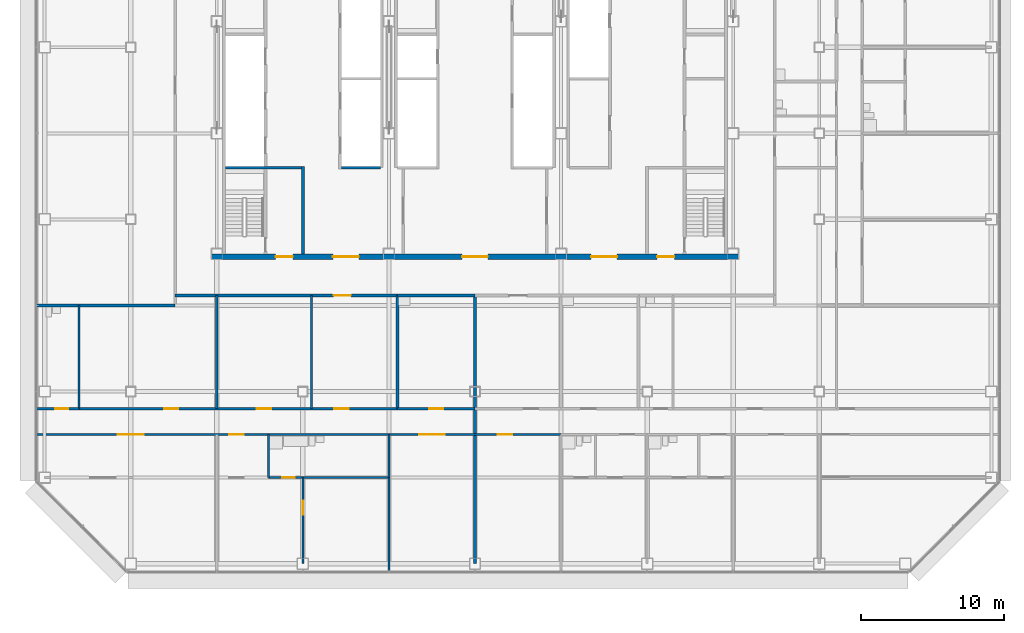
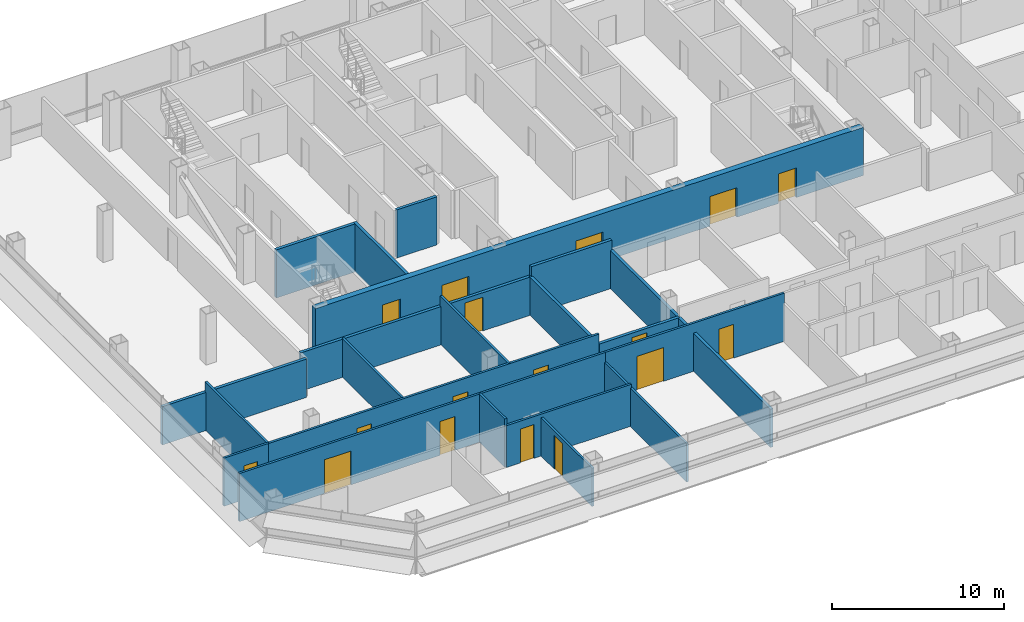
# One storey, part 19 of 25: 24 walls, 17 doors, 17 openings.
"""IFC4 building model written with IfcOpenShell, lengths in metres."""

from ifc_helpers import new_model, si_unit, direction, frame, frame_2d, origin, place, context, subcontext, project, spatial, rectangle, extrude, material, layer, layer_set, type_object, element, fill, save


model = new_model("IFC4")

# Units and contexts
model_context = context("Model", 3, precision=1e-05, world=origin(), true_north=direction((0.0, 1.0)))
body_context = subcontext(model_context, "Body", "Model", "MODEL_VIEW")
ifc_project = project(units=[si_unit("LENGTHUNIT", "METRE"), si_unit("AREAUNIT", "SQUARE_METRE"), si_unit("VOLUMEUNIT", "CUBIC_METRE"), si_unit("PLANEANGLEUNIT", "RADIAN"), si_unit("MASSUNIT", "GRAM", prefix="KILO")], contexts=[model_context])

# Site, building, storey
site_placement = place(None, origin())
site = spatial("IfcSite", under=ifc_project, at=site_placement, CompositionType="ELEMENT")
building_placement = place(site_placement, origin())
building = spatial("IfcBuilding", under=site, at=building_placement, Name="Sorahane Residences", CompositionType="ELEMENT")
storey_placement = place(building_placement, frame((0.0, 0.0, 126.800048828125)))
storey = spatial("IfcBuildingStorey", under=building, at=storey_placement, Name="L28", CompositionType="ELEMENT", Elevation=126.800048828125)

# Wall
ifc_material_1 = material(Name="Concrete blockwork C20 wall", Category="masonry")
ifc_layer_1 = layer(ifc_material_1, 0.199951171875)
ifc_layer_set_1 = layer_set([ifc_layer_1], Name="Corridor wall 200 EI 120")
wall_type_1 = type_object("IfcWallType", Name="Corridor wall 200 EI 120", PredefinedType="SOLIDWALL", material=ifc_layer_set_1)
wall_1_placement = place(storey_placement, frame((-6.60009765625, 18.0, 0.0), z_axis=(0.0, 0.0, 1.0), x_axis=(1.0, 0.0, 0.0)))
element("IfcWall", 1, at=wall_1_placement, inside=storey, type_object=wall_type_1, Name="L28 corridor wall", PredefinedType="SOLIDWALL", context=body_context, shape_type="SweptSolid", body=[
    extrude(rectangle(XDim=9.7001953125, YDim=0.199951171875, at=frame_2d((4.85009765625, 0.0))), origin(), (0.0, 0.0, 1.0), 2.719970703125),
])

# Wall, opening, door
wall_2_placement = place(storey_placement, frame((3.10009765625, 18.699951171875, 0.0), z_axis=(0.0, 0.0, 1.0), x_axis=(1.0, 0.0, 0.0)))
wall_2 = element("IfcWall", 2, at=wall_2_placement, inside=storey, type_object=wall_type_1, Name="L28 corridor wall", PredefinedType="SOLIDWALL", context=body_context, shape_type="SweptSolid", body=[
    extrude(rectangle(XDim=15.5, YDim=0.199951171875, at=frame_2d((7.75, 0.0))), origin(), (0.0, 0.0, 1.0), 2.719970703125),
])
opening_1_placement = place(wall_2_placement, frame((11.0400390625, 0.0, 0.0)))
opening_1 = element("IfcOpeningElement", 3, at=opening_1_placement, cuts=wall_2, Name="Opening L28-40", PredefinedType="OPENING", context=body_context, shape_type="SweptSolid", body=[
    extrude(rectangle(XDim=1.199951171875, YDim=2.39990234375, at=frame_2d((0.60009765625, 1.199951171875))), frame((0.0, 0.10986328125, 0.0), z_axis=(0.0, -1.0, 0.0), x_axis=(1.0, 0.0, 0.0)), (0.0, 0.0, 1.0), 0.219970703125),
])
ifc_material_2 = material(Name="Timber veneered fire door", Category="wood")
door_type_1 = type_object("IfcDoorType", Name="Flat entrance door 1200x2400 FD60", OperationType="NOTDEFINED", PredefinedType="DOOR", material=ifc_material_2)
door_1_placement = place(opening_1_placement, frame((1.199951171875, 0.0, 0.0), z_axis=(0.0, 0.0, 1.0), x_axis=(-1.0, 0.0, 0.0)))
door_1 = element("IfcDoor", 4, at=door_1_placement, inside=storey, type_object=door_type_1, Name="Flat entrance door L28-40", OperationType="SINGLE_SWING_RIGHT", OverallHeight=2.39990234375, OverallWidth=1.199951171875, PredefinedType="DOOR", context=body_context, shape_type="SweptSolid", body=[
    extrude(rectangle(XDim=1.199951171875, YDim=2.39990234375, at=frame_2d((0.60009765625, 1.199951171875))), frame((0.0, 0.02490234375, 0.0), z_axis=(0.0, -1.0, 0.0), x_axis=(1.0, 0.0, 0.0)), (0.0, 0.0, 1.0), 0.050048828125),
])
fill(opening_1, door_1)

# Walls
ifc_material_3 = material(Name="Concrete C30", Category="concrete")
ifc_layer_2 = layer(ifc_material_3, 0.199951171875)
ifc_layer_set_2 = layer_set([ifc_layer_2], Name="Front room wall 200 EI 120")
wall_type_2 = type_object("IfcWallType", Name="Front room wall 200 EI 120", PredefinedType="PARTITIONING", material=ifc_layer_set_2)
wall_3_placement = place(storey_placement, frame((12.0, 21.60009765625, 0.0), z_axis=(0.0, 0.0, 1.0), x_axis=(0.0, 1.0, 0.0)))
element("IfcWall", 5, at=wall_3_placement, inside=storey, type_object=wall_type_2, Name="L28 front room wall", PredefinedType="PARTITIONING", context=body_context, shape_type="SweptSolid", body=[
    extrude(rectangle(XDim=6.099853515625, YDim=0.199951171875, at=frame_2d((3.0498046875, 0.0))), origin(), (0.0, 0.0, 1.0), 3.419921875),
])
ifc_material_4 = material(Name="Concrete blockwork C20 wall", Category="masonry")
ifc_layer_3 = layer(ifc_material_4, 0.199951171875)
ifc_layer_set_3 = layer_set([ifc_layer_3], Name="Kitchen wall 200 EI 180")
wall_type_3 = type_object("IfcWallType", Name="Kitchen wall 200 EI 180", PredefinedType="SOLIDWALL", material=ifc_layer_set_3)
for number, where, z_axis, x_axis, name in (
    (6, (18.60009765625, 10.800048828125, 0.0), (0.0, 0.0, 1.0), (0.0, 1.0, 0.0), "L28 kitchen wall"),
    (7, (24.0, 10.800048828125, 0.0), (0.0, 0.0, 1.0), (0.0, 1.0, 0.0), "L28 kitchen wall"),
):
    element("IfcWall", number, at=place(storey_placement, frame(where, z_axis=z_axis, x_axis=x_axis)), inside=storey, type_object=wall_type_3, Name=name, PredefinedType="SOLIDWALL", context=body_context, shape_type="SweptSolid", body=[
        extrude(rectangle(XDim=7.89990234375, YDim=0.199951171875, at=frame_2d((3.949951171875, 0.0))), origin(), (0.0, 0.0, 1.0), 2.719970703125),
    ])

# Wall, opening, door
wall_4_placement = place(storey_placement, frame((18.60009765625, 10.800048828125, 0.0), z_axis=(0.0, 0.0, 1.0), x_axis=(1.0, 0.0, 0.0)))
wall_4 = element("IfcWall", 8, at=wall_4_placement, inside=storey, type_object=wall_type_3, Name="L28 kitchen wall", PredefinedType="SOLIDWALL", context=body_context, shape_type="SweptSolid", body=[
    extrude(rectangle(XDim=5.39990234375, YDim=0.199951171875, at=frame_2d((2.699951171875, 0.0))), origin(), (0.0, 0.0, 1.0), 2.719970703125),
])
opening_2_placement = place(wall_4_placement, frame((2.199951171875, 0.0, 0.0)))
opening_2 = element("IfcOpeningElement", 9, at=opening_2_placement, cuts=wall_4, Name="Opening L28-05", PredefinedType="OPENING", context=body_context, shape_type="SweptSolid", body=[
    extrude(rectangle(XDim=1.0, YDim=2.39990234375, at=frame_2d((0.5, 1.199951171875))), frame((0.0, 0.10986328125, 0.0), z_axis=(0.0, -1.0, 0.0), x_axis=(1.0, 0.0, 0.0)), (0.0, 0.0, 1.0), 0.219970703125),
])
ifc_material_5 = material(Name="Steel", Category="steel")
door_type_2 = type_object("IfcDoorType", Name="Kitchen door 1000x2400 FD120", OperationType="NOTDEFINED", PredefinedType="DOOR", material=ifc_material_5)
door_2_placement = place(opening_2_placement, origin())
door_2 = element("IfcDoor", 10, at=door_2_placement, inside=storey, type_object=door_type_2, Name="Kitchen door L28-05", OperationType="SINGLE_SWING_LEFT", OverallHeight=2.39990234375, OverallWidth=1.0, PredefinedType="DOOR", context=body_context, shape_type="SweptSolid", body=[
    extrude(rectangle(XDim=1.0, YDim=2.39990234375, at=frame_2d((0.5, 1.199951171875))), frame((0.0, 0.02490234375, 0.0), z_axis=(0.0, -1.0, 0.0), x_axis=(1.0, 0.0, 0.0)), (0.0, 0.0, 1.0), 0.050048828125),
])
fill(opening_2, door_2)

# Walls
wall_5_placement = place(storey_placement, frame((18.60009765625, 18.699951171875, 0.0), z_axis=(0.0, 0.0, 1.0), x_axis=(1.0, 0.0, 0.0)))
element("IfcWall", 11, at=wall_5_placement, inside=storey, type_object=wall_type_3, Name="L28 kitchen wall", PredefinedType="SOLIDWALL", context=body_context, shape_type="SweptSolid", body=[
    extrude(rectangle(XDim=5.39990234375, YDim=0.199951171875, at=frame_2d((2.699951171875, 0.0))), origin(), (0.0, 0.0, 1.0), 3.419921875),
])
ifc_material_6 = material(Name="Concrete C30", Category="concrete")
ifc_layer_4 = layer(ifc_material_6, 0.199951171875)
ifc_layer_set_4 = layer_set([ifc_layer_4], Name="Lift shaft wall 200 EI 120")
wall_type_4 = type_object("IfcWallType", Name="Lift shaft wall 200 EI 120", PredefinedType="SOLIDWALL", material=ifc_layer_set_4)
wall_6_placement = place(storey_placement, frame((14.699951171875, 27.60009765625, 0.0), z_axis=(0.0, 0.0, 1.0), x_axis=(1.0, 0.0, 0.0)))
element("IfcWall", 12, at=wall_6_placement, inside=storey, type_object=wall_type_4, Name="L28 lift shaft wall", PredefinedType="SOLIDWALL", context=body_context, shape_type="SweptSolid", body=[
    extrude(rectangle(XDim=2.699951171875, YDim=0.199951171875, at=frame_2d((1.35009765625, 0.0))), origin(), (0.0, 0.0, 1.0), 3.419921875),
])

# Wall, opening, door
ifc_material_7 = material(Name="Gypsum board partition on steel studs", Category="steel")
ifc_layer_5 = layer(ifc_material_7, 0.14990234375)
ifc_layer_set_5 = layer_set([ifc_layer_5], Name="Partition 150 EI 90")
wall_type_5 = type_object("IfcWallType", Name="Partition 150 EI 90", PredefinedType="PARTITIONING", material=ifc_layer_set_5)
wall_7_placement = place(storey_placement, frame((12.0, 0.0, 0.0), z_axis=(0.0, 0.0, 1.0), x_axis=(0.0, 1.0, 0.0)))
wall_7 = element("IfcWall", 13, at=wall_7_placement, inside=storey, type_object=wall_type_5, Name="L28 partition", PredefinedType="PARTITIONING", context=body_context, shape_type="SweptSolid", body=[
    extrude(rectangle(XDim=6.0, YDim=0.14990234375, at=frame_2d((3.0, 0.0))), origin(), (0.0, 0.0, 1.0), 2.719970703125),
])
opening_3_placement = place(wall_7_placement, frame((3.39990234375, 0.0, 0.0)))
opening_3 = element("IfcOpeningElement", 14, at=opening_3_placement, cuts=wall_7, Name="Opening L28-11", PredefinedType="OPENING", context=body_context, shape_type="SweptSolid", body=[
    extrude(rectangle(XDim=1.0, YDim=2.39990234375, at=frame_2d((0.5, 1.199951171875))), frame((0.0, 0.0849609375, 0.0), z_axis=(0.0, -1.0, 0.0), x_axis=(1.0, 0.0, 0.0)), (0.0, 0.0, 1.0), 0.169921875),
])
ifc_material_8 = material(Name="Timber veneered fire door", Category="wood")
door_type_3 = type_object("IfcDoorType", Name="Room door 1000x2400 FD30", OperationType="NOTDEFINED", PredefinedType="DOOR", material=ifc_material_8)
door_3_placement = place(opening_3_placement, frame((1.0, 0.0, 0.0), z_axis=(0.0, 0.0, 1.0), x_axis=(-1.0, 0.0, 0.0)))
door_3 = element("IfcDoor", 15, at=door_3_placement, inside=storey, type_object=door_type_3, Name="Room door L28-11", OperationType="SINGLE_SWING_RIGHT", OverallHeight=2.39990234375, OverallWidth=1.0, PredefinedType="DOOR", context=body_context, shape_type="SweptSolid", body=[
    extrude(rectangle(XDim=1.0, YDim=2.39990234375, at=frame_2d((0.5, 1.199951171875))), frame((0.0, 0.02490234375, 0.0), z_axis=(0.0, -1.0, 0.0), x_axis=(1.0, 0.0, 0.0)), (0.0, 0.0, 1.0), 0.050048828125),
])
fill(opening_3, door_3)

# Walls
wall_8_placement = place(storey_placement, frame((12.60009765625, 10.800048828125, 0.0), z_axis=(0.0, 0.0, 1.0), x_axis=(0.0, 1.0, 0.0)))
element("IfcWall", 16, at=wall_8_placement, inside=storey, type_object=wall_type_5, Name="L28 partition", PredefinedType="PARTITIONING", context=body_context, shape_type="SweptSolid", body=[
    extrude(rectangle(XDim=7.89990234375, YDim=0.14990234375, at=frame_2d((3.949951171875, 0.0))), origin(), (0.0, 0.0, 1.0), 3.419921875),
])
wall_9_placement = place(storey_placement, frame((18.0, -0.60009765625, 0.0), z_axis=(0.0, 0.0, 1.0), x_axis=(0.0, 1.0, 0.0)))
element("IfcWall", 17, at=wall_9_placement, inside=storey, type_object=wall_type_5, Name="L28 partition", PredefinedType="PARTITIONING", context=body_context, shape_type="SweptSolid", body=[
    extrude(rectangle(XDim=6.60009765625, YDim=0.14990234375, at=frame_2d((3.300048828125, 0.0))), origin(), (0.0, 0.0, 1.0), 2.719970703125),
])
wall_10_placement = place(storey_placement, frame((6.0, 10.800048828125, 0.0), z_axis=(0.0, 0.0, 1.0), x_axis=(0.0, 1.0, 0.0)))
element("IfcWall", 18, at=wall_10_placement, inside=storey, type_object=wall_type_5, Name="L28 partition", PredefinedType="PARTITIONING", context=body_context, shape_type="SweptSolid", body=[
    extrude(rectangle(XDim=7.89990234375, YDim=0.14990234375, at=frame_2d((3.949951171875, 0.0))), origin(), (0.0, 0.0, 1.0), 2.719970703125),
])

# Wall, openings, doors
wall_11_placement = place(storey_placement, frame((-3.60009765625, 10.800048828125, 0.0), z_axis=(0.0, 0.0, 1.0), x_axis=(1.0, 0.0, 0.0)))
wall_11 = element("IfcWall", 19, at=wall_11_placement, inside=storey, type_object=wall_type_5, Name="L28 partition", PredefinedType="PARTITIONING", context=body_context, shape_type="SweptSolid", body=[
    extrude(rectangle(XDim=22.2001953125, YDim=0.14990234375, at=frame_2d((11.10009765625, 0.0))), origin(), (0.0, 0.0, 1.0), 3.419921875),
])
opening_4_placement = place(wall_11_placement, frame((17.800048828125, 0.0, 0.0)))
opening_4 = element("IfcOpeningElement", 20, at=opening_4_placement, cuts=wall_11, Name="Opening L28-01", PredefinedType="OPENING", context=body_context, shape_type="SweptSolid", body=[
    extrude(rectangle(XDim=1.0, YDim=2.39990234375, at=frame_2d((0.5, 1.199951171875))), frame((0.0, 0.0849609375, 0.0), z_axis=(0.0, -1.0, 0.0), x_axis=(1.0, 0.0, 0.0)), (0.0, 0.0, 1.0), 0.169921875),
])
opening_5_placement = place(wall_11_placement, frame((5.919921875, 0.0, 0.0)))
opening_5 = element("IfcOpeningElement", 21, at=opening_5_placement, cuts=wall_11, Name="Opening L28-03", PredefinedType="OPENING", context=body_context, shape_type="SweptSolid", body=[
    extrude(rectangle(XDim=1.0, YDim=2.39990234375, at=frame_2d((0.5, 1.199951171875))), frame((0.0, 0.0849609375, 0.0), z_axis=(0.0, -1.0, 0.0), x_axis=(1.0, 0.0, 0.0)), (0.0, 0.0, 1.0), 0.169921875),
])
opening_6_placement = place(wall_11_placement, frame((12.39990234375, 0.0, 0.0)))
opening_6 = element("IfcOpeningElement", 22, at=opening_6_placement, cuts=wall_11, Name="Opening L28-04", PredefinedType="OPENING", context=body_context, shape_type="SweptSolid", body=[
    extrude(rectangle(XDim=1.0, YDim=2.39990234375, at=frame_2d((0.5, 1.199951171875))), frame((0.0, 0.0849609375, 0.0), z_axis=(0.0, -1.0, 0.0), x_axis=(1.0, 0.0, 0.0)), (0.0, 0.0, 1.0), 0.169921875),
])
door_4_placement = place(opening_4_placement, frame((1.0, 0.0, 0.0), z_axis=(0.0, 0.0, 1.0), x_axis=(-1.0, 0.0, 0.0)))
door_4 = element("IfcDoor", 23, at=door_4_placement, inside=storey, type_object=door_type_3, Name="Room door L28-01", OperationType="SINGLE_SWING_LEFT", OverallHeight=2.39990234375, OverallWidth=1.0, PredefinedType="DOOR", context=body_context, shape_type="SweptSolid", body=[
    extrude(rectangle(XDim=1.0, YDim=2.39990234375, at=frame_2d((0.5, 1.199951171875))), frame((0.0, 0.02490234375, 0.0), z_axis=(0.0, -1.0, 0.0), x_axis=(1.0, 0.0, 0.0)), (0.0, 0.0, 1.0), 0.050048828125),
])
fill(opening_4, door_4)
door_5_placement = place(opening_5_placement, origin())
door_5 = element("IfcDoor", 24, at=door_5_placement, inside=storey, type_object=door_type_3, Name="Room door L28-03", OperationType="SINGLE_SWING_LEFT", OverallHeight=2.39990234375, OverallWidth=1.0, PredefinedType="DOOR", context=body_context, shape_type="SweptSolid", body=[
    extrude(rectangle(XDim=1.0, YDim=2.39990234375, at=frame_2d((0.5, 1.199951171875))), frame((0.0, 0.02490234375, 0.0), z_axis=(0.0, -1.0, 0.0), x_axis=(1.0, 0.0, 0.0)), (0.0, 0.0, 1.0), 0.050048828125),
])
fill(opening_5, door_5)
door_6_placement = place(opening_6_placement, origin())
door_6 = element("IfcDoor", 25, at=door_6_placement, inside=storey, type_object=door_type_3, Name="Room door L28-04", OperationType="SINGLE_SWING_LEFT", OverallHeight=2.39990234375, OverallWidth=1.0, PredefinedType="DOOR", context=body_context, shape_type="SweptSolid", body=[
    extrude(rectangle(XDim=1.0, YDim=2.39990234375, at=frame_2d((0.5, 1.199951171875))), frame((0.0, 0.02490234375, 0.0), z_axis=(0.0, -1.0, 0.0), x_axis=(1.0, 0.0, 0.0)), (0.0, 0.0, 1.0), 0.050048828125),
])
fill(opening_6, door_6)

wall_12_placement = place(storey_placement, frame((-6.60009765625, 9.0, 0.0), z_axis=(0.0, 0.0, 1.0), x_axis=(1.0, 0.0, 0.0)))
wall_12 = element("IfcWall", 26, at=wall_12_placement, inside=storey, type_object=wall_type_5, Name="L28 partition", PredefinedType="PARTITIONING", context=body_context, shape_type="SweptSolid", body=[
    extrude(rectangle(XDim=16.2001953125, YDim=0.14990234375, at=frame_2d((8.10009765625, 0.0))), origin(), (0.0, 0.0, 1.0), 3.419921875),
])
opening_7_placement = place(wall_12_placement, frame((5.699951171875, 0.0, 0.0)))
opening_7 = element("IfcOpeningElement", 27, at=opening_7_placement, cuts=wall_12, Name="Opening L28-06", PredefinedType="OPENING", context=body_context, shape_type="SweptSolid", body=[
    extrude(rectangle(XDim=1.800048828125, YDim=2.39990234375, at=frame_2d((0.89990234375, 1.199951171875))), frame((0.0, 0.0849609375, 0.0), z_axis=(0.0, -1.0, 0.0), x_axis=(1.0, 0.0, 0.0)), (0.0, 0.0, 1.0), 0.169921875),
])
opening_8_placement = place(wall_12_placement, frame((13.47998046875, 0.0, 0.0)))
opening_8 = element("IfcOpeningElement", 28, at=opening_8_placement, cuts=wall_12, Name="Opening L28-07", PredefinedType="OPENING", context=body_context, shape_type="SweptSolid", body=[
    extrude(rectangle(XDim=1.0, YDim=2.39990234375, at=frame_2d((0.5, 1.199951171875))), frame((0.0, 0.0849609375, 0.0), z_axis=(0.0, -1.0, 0.0), x_axis=(1.0, 0.0, 0.0)), (0.0, 0.0, 1.0), 0.169921875),
])
ifc_material_9 = material(Name="Timber veneered fire door", Category="wood")
door_type_4 = type_object("IfcDoorType", Name="Double door 1800x2400 FD30", OperationType="NOTDEFINED", PredefinedType="DOOR", material=ifc_material_9)
door_7_placement = place(opening_7_placement, frame((1.800048828125, 0.0, 0.0), z_axis=(0.0, 0.0, 1.0), x_axis=(-1.0, 0.0, 0.0)))
door_7 = element("IfcDoor", 29, at=door_7_placement, inside=storey, type_object=door_type_4, Name="Double door L28-06", OperationType="SINGLE_SWING_LEFT", OverallHeight=2.39990234375, OverallWidth=1.800048828125, PredefinedType="DOOR", context=body_context, shape_type="SweptSolid", body=[
    extrude(rectangle(XDim=1.800048828125, YDim=2.39990234375, at=frame_2d((0.89990234375, 1.199951171875))), frame((0.0, 0.02490234375, 0.0), z_axis=(0.0, -1.0, 0.0), x_axis=(1.0, 0.0, 0.0)), (0.0, 0.0, 1.0), 0.050048828125),
])
fill(opening_7, door_7)
door_8_placement = place(opening_8_placement, frame((1.0, 0.0, 0.0), z_axis=(0.0, 0.0, 1.0), x_axis=(-1.0, 0.0, 0.0)))
door_8 = element("IfcDoor", 30, at=door_8_placement, inside=storey, type_object=door_type_3, Name="Room door L28-07", OperationType="SINGLE_SWING_RIGHT", OverallHeight=2.39990234375, OverallWidth=1.0, PredefinedType="DOOR", context=body_context, shape_type="SweptSolid", body=[
    extrude(rectangle(XDim=1.0, YDim=2.39990234375, at=frame_2d((0.5, 1.199951171875))), frame((0.0, 0.02490234375, 0.0), z_axis=(0.0, -1.0, 0.0), x_axis=(1.0, 0.0, 0.0)), (0.0, 0.0, 1.0), 0.050048828125),
])
fill(opening_8, door_8)

wall_13_placement = place(storey_placement, frame((18.0, 9.0, 0.0), z_axis=(0.0, 0.0, 1.0), x_axis=(1.0, 0.0, 0.0)))
wall_13 = element("IfcWall", 31, at=wall_13_placement, inside=storey, type_object=wall_type_5, Name="L28 partition", PredefinedType="PARTITIONING", context=body_context, shape_type="SweptSolid", body=[
    extrude(rectangle(XDim=12.0, YDim=0.14990234375, at=frame_2d((6.0, 0.0))), origin(), (0.0, 0.0, 1.0), 3.419921875),
])
opening_9_placement = place(wall_13_placement, frame((2.10009765625, 0.0, 0.0)))
opening_9 = element("IfcOpeningElement", 32, at=opening_9_placement, cuts=wall_13, Name="Opening L28-08", PredefinedType="OPENING", context=body_context, shape_type="SweptSolid", body=[
    extrude(rectangle(XDim=1.800048828125, YDim=2.39990234375, at=frame_2d((0.89990234375, 1.199951171875))), frame((0.0, 0.0849609375, 0.0), z_axis=(0.0, -1.0, 0.0), x_axis=(1.0, 0.0, 0.0)), (0.0, 0.0, 1.0), 0.169921875),
])
opening_10_placement = place(wall_13_placement, frame((7.60009765625, 0.0, 0.0)))
opening_10 = element("IfcOpeningElement", 33, at=opening_10_placement, cuts=wall_13, Name="Opening L28-18", PredefinedType="OPENING", context=body_context, shape_type="SweptSolid", body=[
    extrude(rectangle(XDim=1.0, YDim=2.39990234375, at=frame_2d((0.5, 1.199951171875))), frame((0.0, 0.0849609375, 0.0), z_axis=(0.0, -1.0, 0.0), x_axis=(1.0, 0.0, 0.0)), (0.0, 0.0, 1.0), 0.169921875),
])
door_9_placement = place(opening_9_placement, frame((1.800048828125, 0.0, 0.0), z_axis=(0.0, 0.0, 1.0), x_axis=(-1.0, 0.0, 0.0)))
door_9 = element("IfcDoor", 34, at=door_9_placement, inside=storey, type_object=door_type_4, Name="Double door L28-08", OperationType="SINGLE_SWING_RIGHT", OverallHeight=2.39990234375, OverallWidth=1.800048828125, PredefinedType="DOOR", context=body_context, shape_type="SweptSolid", body=[
    extrude(rectangle(XDim=1.800048828125, YDim=2.39990234375, at=frame_2d((0.89990234375, 1.199951171875))), frame((0.0, 0.02490234375, 0.0), z_axis=(0.0, -1.0, 0.0), x_axis=(1.0, 0.0, 0.0)), (0.0, 0.0, 1.0), 0.050048828125),
])
fill(opening_9, door_9)
door_10_placement = place(opening_10_placement, frame((1.0, 0.0, 0.0), z_axis=(0.0, 0.0, 1.0), x_axis=(-1.0, 0.0, 0.0)))
door_10 = element("IfcDoor", 35, at=door_10_placement, inside=storey, type_object=door_type_3, Name="Room door L28-18", OperationType="SINGLE_SWING_RIGHT", OverallHeight=2.39990234375, OverallWidth=1.0, PredefinedType="DOOR", context=body_context, shape_type="SweptSolid", body=[
    extrude(rectangle(XDim=1.0, YDim=2.39990234375, at=frame_2d((0.5, 1.199951171875))), frame((0.0, 0.02490234375, 0.0), z_axis=(0.0, -1.0, 0.0), x_axis=(1.0, 0.0, 0.0)), (0.0, 0.0, 1.0), 0.050048828125),
])
fill(opening_10, door_10)

# Walls
ifc_material_10 = material(Name="Concrete blockwork C20 wall", Category="masonry")
ifc_layer_6 = layer(ifc_material_10, 0.199951171875)
ifc_layer_set_6 = layer_set([ifc_layer_6], Name="Party wall 200 EI 120")
wall_type_6 = type_object("IfcWallType", Name="Party wall 200 EI 120", PredefinedType="SOLIDWALL", material=ifc_layer_set_6)
wall_14_placement = place(storey_placement, frame((24.0, 0.0, 0.0), z_axis=(0.0, 0.0, 1.0), x_axis=(0.0, 1.0, 0.0)))
element("IfcWall", 36, at=wall_14_placement, inside=storey, type_object=wall_type_6, Name="L28 party wall", PredefinedType="SOLIDWALL", context=body_context, shape_type="SweptSolid", body=[
    extrude(rectangle(XDim=10.800048828125, YDim=0.199951171875, at=frame_2d((5.39990234375, 0.0))), origin(), (0.0, 0.0, 1.0), 2.719970703125),
])
ifc_material_11 = material(Name="Concrete C30", Category="concrete")
ifc_layer_7 = layer(ifc_material_11, 0.199951171875)
ifc_layer_set_7 = layer_set([ifc_layer_7], Name="Stair enclosure wall 200 EI 120")
wall_type_7 = type_object("IfcWallType", Name="Stair enclosure wall 200 EI 120", PredefinedType="SOLIDWALL", material=ifc_layer_set_7)
wall_15_placement = place(storey_placement, frame((6.60009765625, 27.60009765625, 0.0), z_axis=(0.0, 0.0, 1.0), x_axis=(1.0, 0.0, 0.0)))
element("IfcWall", 37, at=wall_15_placement, inside=storey, type_object=wall_type_7, Name="L28 stair enclosure wall", PredefinedType="SOLIDWALL", context=body_context, shape_type="SweptSolid", body=[
    extrude(rectangle(XDim=5.2998046875, YDim=0.199951171875, at=frame_2d((2.64990234375, 0.0))), origin(), (0.0, 0.0, 1.0), 3.419921875),
])

# Wall, openings, doors
ifc_material_12 = material(Name="Concrete C30", Category="concrete")
ifc_layer_8 = layer(ifc_material_12, 0.39990234375)
ifc_layer_set_8 = layer_set([ifc_layer_8], Name="Waiting hall wall 400 EI 120")
wall_type_8 = type_object("IfcWallType", Name="Waiting hall wall 400 EI 120", PredefinedType="SOLIDWALL", material=ifc_layer_set_8)
wall_16_placement = place(storey_placement, frame((5.60009765625, 21.39990234375, 0.0), z_axis=(0.0, 0.0, 1.0), x_axis=(1.0, 0.0, 0.0)))
wall_16 = element("IfcWall", 38, at=wall_16_placement, inside=storey, type_object=wall_type_8, Name="L28 waiting hall wall", PredefinedType="SOLIDWALL", context=body_context, shape_type="SweptSolid", body=[
    extrude(rectangle(XDim=36.7998046875, YDim=0.39990234375, at=frame_2d((18.39990234375, 0.0))), origin(), (0.0, 0.0, 1.0), 3.419921875),
])
opening_11_placement = place(wall_16_placement, frame((8.5, 0.0, 0.0)))
opening_11 = element("IfcOpeningElement", 39, at=opening_11_placement, cuts=wall_16, Name="Opening L28-C01", PredefinedType="OPENING", context=body_context, shape_type="SweptSolid", body=[
    extrude(rectangle(XDim=1.800048828125, YDim=2.10009765625, at=frame_2d((0.89990234375, 1.050048828125))), frame((0.0, 0.2099609375, 0.0), z_axis=(0.0, -1.0, 0.0), x_axis=(1.0, 0.0, 0.0)), (0.0, 0.0, 1.0), 0.419921875),
])
opening_12_placement = place(wall_16_placement, frame((17.5, 0.0, 0.0)))
opening_12 = element("IfcOpeningElement", 40, at=opening_12_placement, cuts=wall_16, Name="Opening L28-C03", PredefinedType="OPENING", context=body_context, shape_type="SweptSolid", body=[
    extrude(rectangle(XDim=1.800048828125, YDim=2.10009765625, at=frame_2d((0.89990234375, 1.050048828125))), frame((0.0, 0.2099609375, 0.0), z_axis=(0.0, -1.0, 0.0), x_axis=(1.0, 0.0, 0.0)), (0.0, 0.0, 1.0), 0.419921875),
])
opening_13_placement = place(wall_16_placement, frame((26.5, 0.0, 0.0)))
opening_13 = element("IfcOpeningElement", 41, at=opening_13_placement, cuts=wall_16, Name="Opening L28-C05", PredefinedType="OPENING", context=body_context, shape_type="SweptSolid", body=[
    extrude(rectangle(XDim=1.800048828125, YDim=2.10009765625, at=frame_2d((0.89990234375, 1.050048828125))), frame((0.0, 0.2099609375, 0.0), z_axis=(0.0, -1.0, 0.0), x_axis=(1.0, 0.0, 0.0)), (0.0, 0.0, 1.0), 0.419921875),
])
opening_14_placement = place(wall_16_placement, frame((4.5, 0.0, 0.0)))
opening_14 = element("IfcOpeningElement", 42, at=opening_14_placement, cuts=wall_16, Name="Opening L28-C06", PredefinedType="OPENING", context=body_context, shape_type="SweptSolid", body=[
    extrude(rectangle(XDim=1.199951171875, YDim=2.10009765625, at=frame_2d((0.60009765625, 1.050048828125))), frame((0.0, 0.2099609375, 0.0), z_axis=(0.0, -1.0, 0.0), x_axis=(1.0, 0.0, 0.0)), (0.0, 0.0, 1.0), 0.419921875),
])
opening_15_placement = place(wall_16_placement, frame((31.10009765625, 0.0, 0.0)))
opening_15 = element("IfcOpeningElement", 43, at=opening_15_placement, cuts=wall_16, Name="Opening L28-C07", PredefinedType="OPENING", context=body_context, shape_type="SweptSolid", body=[
    extrude(rectangle(XDim=1.199951171875, YDim=2.10009765625, at=frame_2d((0.60009765625, 1.050048828125))), frame((0.0, 0.2099609375, 0.0), z_axis=(0.0, -1.0, 0.0), x_axis=(1.0, 0.0, 0.0)), (0.0, 0.0, 1.0), 0.419921875),
])
ifc_material_13 = material(Name="Steel", Category="steel")
door_type_5 = type_object("IfcDoorType", Name="Stair front room door 1200x2100 FD120", OperationType="NOTDEFINED", PredefinedType="DOOR", material=ifc_material_13)
door_11_placement = place(opening_14_placement, frame((1.199951171875, 0.0, 0.0), z_axis=(0.0, 0.0, 1.0), x_axis=(-1.0, 0.0, 0.0)))
door_11 = element("IfcDoor", 44, at=door_11_placement, inside=storey, type_object=door_type_5, Name="Stair front room door Stair S4 front room L28", OperationType="SINGLE_SWING_LEFT", OverallHeight=2.10009765625, OverallWidth=1.199951171875, PredefinedType="DOOR", context=body_context, shape_type="SweptSolid", body=[
    extrude(rectangle(XDim=1.199951171875, YDim=2.10009765625, at=frame_2d((0.60009765625, 1.050048828125))), frame((0.0, 0.02490234375, 0.0), z_axis=(0.0, -1.0, 0.0), x_axis=(1.0, 0.0, 0.0)), (0.0, 0.0, 1.0), 0.050048828125),
])
fill(opening_14, door_11)
door_12_placement = place(opening_15_placement, frame((1.199951171875, 0.0, 0.0), z_axis=(0.0, 0.0, 1.0), x_axis=(-1.0, 0.0, 0.0)))
door_12 = element("IfcDoor", 45, at=door_12_placement, inside=storey, type_object=door_type_5, Name="Stair front room door Stair S5 front room L28", OperationType="SINGLE_SWING_LEFT", OverallHeight=2.10009765625, OverallWidth=1.199951171875, PredefinedType="DOOR", context=body_context, shape_type="SweptSolid", body=[
    extrude(rectangle(XDim=1.199951171875, YDim=2.10009765625, at=frame_2d((0.60009765625, 1.050048828125))), frame((0.0, 0.02490234375, 0.0), z_axis=(0.0, -1.0, 0.0), x_axis=(1.0, 0.0, 0.0)), (0.0, 0.0, 1.0), 0.050048828125),
])
fill(opening_15, door_12)
ifc_material_14 = material(Name="Steel", Category="steel")
door_type_6 = type_object("IfcDoorType", Name="Waiting hall door 1800x2100 FD60", OperationType="NOTDEFINED", PredefinedType="DOOR", material=ifc_material_14)
door_13_placement = place(opening_11_placement, frame((1.800048828125, 0.0, 0.0), z_axis=(0.0, 0.0, 1.0), x_axis=(-1.0, 0.0, 0.0)))
door_13 = element("IfcDoor", 46, at=door_13_placement, inside=storey, type_object=door_type_6, Name="Waiting hall door Residents' waiting hall west L28", OperationType="SINGLE_SWING_LEFT", OverallHeight=2.10009765625, OverallWidth=1.800048828125, PredefinedType="DOOR", context=body_context, shape_type="SweptSolid", body=[
    extrude(rectangle(XDim=1.800048828125, YDim=2.10009765625, at=frame_2d((0.89990234375, 1.050048828125))), frame((0.0, 0.02490234375, 0.0), z_axis=(0.0, -1.0, 0.0), x_axis=(1.0, 0.0, 0.0)), (0.0, 0.0, 1.0), 0.050048828125),
])
fill(opening_11, door_13)
door_14_placement = place(opening_12_placement, frame((1.800048828125, 0.0, 0.0), z_axis=(0.0, 0.0, 1.0), x_axis=(-1.0, 0.0, 0.0)))
door_14 = element("IfcDoor", 47, at=door_14_placement, inside=storey, type_object=door_type_6, Name="Waiting hall door Residents' waiting hall centre L28", OperationType="SINGLE_SWING_LEFT", OverallHeight=2.10009765625, OverallWidth=1.800048828125, PredefinedType="DOOR", context=body_context, shape_type="SweptSolid", body=[
    extrude(rectangle(XDim=1.800048828125, YDim=2.10009765625, at=frame_2d((0.89990234375, 1.050048828125))), frame((0.0, 0.02490234375, 0.0), z_axis=(0.0, -1.0, 0.0), x_axis=(1.0, 0.0, 0.0)), (0.0, 0.0, 1.0), 0.050048828125),
])
fill(opening_12, door_14)
door_15_placement = place(opening_13_placement, frame((1.800048828125, 0.0, 0.0), z_axis=(0.0, 0.0, 1.0), x_axis=(-1.0, 0.0, 0.0)))
door_15 = element("IfcDoor", 48, at=door_15_placement, inside=storey, type_object=door_type_6, Name="Waiting hall door Residents' waiting hall east L28", OperationType="SINGLE_SWING_LEFT", OverallHeight=2.10009765625, OverallWidth=1.800048828125, PredefinedType="DOOR", context=body_context, shape_type="SweptSolid", body=[
    extrude(rectangle(XDim=1.800048828125, YDim=2.10009765625, at=frame_2d((0.89990234375, 1.050048828125))), frame((0.0, 0.02490234375, 0.0), z_axis=(0.0, -1.0, 0.0), x_axis=(1.0, 0.0, 0.0)), (0.0, 0.0, 1.0), 0.050048828125),
])
fill(opening_13, door_15)

# Walls
ifc_material_15 = material(Name="Gypsum board partition on steel studs", Category="steel")
ifc_layer_9 = layer(ifc_material_15, 0.14990234375)
ifc_layer_set_9 = layer_set([ifc_layer_9], Name="Wet wall 150 EI 90")
wall_type_9 = type_object("IfcWallType", Name="Wet wall 150 EI 90", PredefinedType="PARTITIONING", material=ifc_layer_set_9)
wall_17_placement = place(storey_placement, frame((-3.60009765625, 10.800048828125, 0.0), z_axis=(0.0, 0.0, 1.0), x_axis=(0.0, 1.0, 0.0)))
element("IfcWall", 49, at=wall_17_placement, inside=storey, type_object=wall_type_9, Name="L28 wet wall", PredefinedType="PARTITIONING", context=body_context, shape_type="SweptSolid", body=[
    extrude(rectangle(XDim=7.199951171875, YDim=0.14990234375, at=frame_2d((3.60009765625, 0.0))), origin(), (0.0, 0.0, 1.0), 3.419921875),
])
wall_18_placement = place(storey_placement, frame((18.0, 6.0, 0.0), z_axis=(0.0, 0.0, 1.0), x_axis=(0.0, 1.0, 0.0)))
element("IfcWall", 50, at=wall_18_placement, inside=storey, type_object=wall_type_9, Name="L28 wet wall", PredefinedType="PARTITIONING", context=body_context, shape_type="SweptSolid", body=[
    extrude(rectangle(XDim=3.0, YDim=0.14990234375, at=frame_2d((1.5, 0.0))), origin(), (0.0, 0.0, 1.0), 2.719970703125),
])
wall_19_placement = place(storey_placement, frame((9.60009765625, 6.0, 0.0), z_axis=(0.0, 0.0, 1.0), x_axis=(0.0, 1.0, 0.0)))
element("IfcWall", 51, at=wall_19_placement, inside=storey, type_object=wall_type_9, Name="L28 wet wall", PredefinedType="PARTITIONING", context=body_context, shape_type="SweptSolid", body=[
    extrude(rectangle(XDim=3.0, YDim=0.14990234375, at=frame_2d((1.5, 0.0))), origin(), (0.0, 0.0, 1.0), 3.419921875),
])

# Wall, opening, door
wall_20_placement = place(storey_placement, frame((-6.60009765625, 10.800048828125, 0.0), z_axis=(0.0, 0.0, 1.0), x_axis=(1.0, 0.0, 0.0)))
wall_20 = element("IfcWall", 52, at=wall_20_placement, inside=storey, type_object=wall_type_9, Name="L28 wet wall", PredefinedType="PARTITIONING", context=body_context, shape_type="SweptSolid", body=[
    extrude(rectangle(XDim=3.0, YDim=0.14990234375, at=frame_2d((1.5, 0.0))), origin(), (0.0, 0.0, 1.0), 3.419921875),
])
opening_16_placement = place(wall_20_placement, frame((1.35009765625, 0.0, 0.0)))
opening_16 = element("IfcOpeningElement", 53, at=opening_16_placement, cuts=wall_20, Name="Opening L28-02", PredefinedType="OPENING", context=body_context, shape_type="SweptSolid", body=[
    extrude(rectangle(XDim=0.89990234375, YDim=2.39990234375, at=frame_2d((0.449951171875, 1.199951171875))), frame((0.0, 0.0849609375, 0.0), z_axis=(0.0, -1.0, 0.0), x_axis=(1.0, 0.0, 0.0)), (0.0, 0.0, 1.0), 0.169921875),
])
ifc_material_16 = material(Name="Timber veneered fire door", Category="wood")
door_type_7 = type_object("IfcDoorType", Name="Bathroom door 900x2400 FD30", OperationType="NOTDEFINED", PredefinedType="DOOR", material=ifc_material_16)
door_16_placement = place(opening_16_placement, frame((0.89990234375, 0.0, 0.0), z_axis=(0.0, 0.0, 1.0), x_axis=(-1.0, 0.0, 0.0)))
door_16 = element("IfcDoor", 54, at=door_16_placement, inside=storey, type_object=door_type_7, Name="Bathroom door L28-02", OperationType="SINGLE_SWING_RIGHT", OverallHeight=2.39990234375, OverallWidth=0.89990234375, PredefinedType="DOOR", context=body_context, shape_type="SweptSolid", body=[
    extrude(rectangle(XDim=0.89990234375, YDim=2.39990234375, at=frame_2d((0.449951171875, 1.199951171875))), frame((0.0, 0.02490234375, 0.0), z_axis=(0.0, -1.0, 0.0), x_axis=(1.0, 0.0, 0.0)), (0.0, 0.0, 1.0), 0.050048828125),
])
fill(opening_16, door_16)

wall_21_placement = place(storey_placement, frame((9.60009765625, 6.0, 0.0), z_axis=(0.0, 0.0, 1.0), x_axis=(1.0, 0.0, 0.0)))
wall_21 = element("IfcWall", 55, at=wall_21_placement, inside=storey, type_object=wall_type_9, Name="L28 wet wall", PredefinedType="PARTITIONING", context=body_context, shape_type="SweptSolid", body=[
    extrude(rectangle(XDim=8.39990234375, YDim=0.14990234375, at=frame_2d((4.199951171875, 0.0))), origin(), (0.0, 0.0, 1.0), 2.969970703125),
])
opening_17_placement = place(wall_21_placement, frame((0.949951171875, 0.0, 0.0)))
opening_17 = element("IfcOpeningElement", 56, at=opening_17_placement, cuts=wall_21, Name="Opening L28-12", PredefinedType="OPENING", context=body_context, shape_type="SweptSolid", body=[
    extrude(rectangle(XDim=0.89990234375, YDim=2.39990234375, at=frame_2d((0.449951171875, 1.199951171875))), frame((0.0, 0.0849609375, 0.0), z_axis=(0.0, -1.0, 0.0), x_axis=(1.0, 0.0, 0.0)), (0.0, 0.0, 1.0), 0.169921875),
])
door_17_placement = place(opening_17_placement, frame((0.89990234375, 0.0, 0.0), z_axis=(0.0, 0.0, 1.0), x_axis=(-1.0, 0.0, 0.0)))
door_17 = element("IfcDoor", 57, at=door_17_placement, inside=storey, type_object=door_type_7, Name="Bathroom door L28-12", OperationType="SINGLE_SWING_RIGHT", OverallHeight=2.39990234375, OverallWidth=0.89990234375, PredefinedType="DOOR", context=body_context, shape_type="SweptSolid", body=[
    extrude(rectangle(XDim=0.89990234375, YDim=2.39990234375, at=frame_2d((0.449951171875, 1.199951171875))), frame((0.0, 0.02490234375, 0.0), z_axis=(0.0, -1.0, 0.0), x_axis=(1.0, 0.0, 0.0)), (0.0, 0.0, 1.0), 0.050048828125),
])
fill(opening_17, door_17)

# Wall
wall_22_placement = place(storey_placement, frame((9.60009765625, 9.0, 0.0), z_axis=(0.0, 0.0, 1.0), x_axis=(1.0, 0.0, 0.0)))
element("IfcWall", 58, at=wall_22_placement, inside=storey, type_object=wall_type_9, Name="L28 wet wall", PredefinedType="PARTITIONING", context=body_context, shape_type="SweptSolid", body=[
    extrude(rectangle(XDim=8.39990234375, YDim=0.14990234375, at=frame_2d((4.199951171875, 0.0))), origin(), (0.0, 0.0, 1.0), 3.419921875),
])

save(model, "model.ifc")
